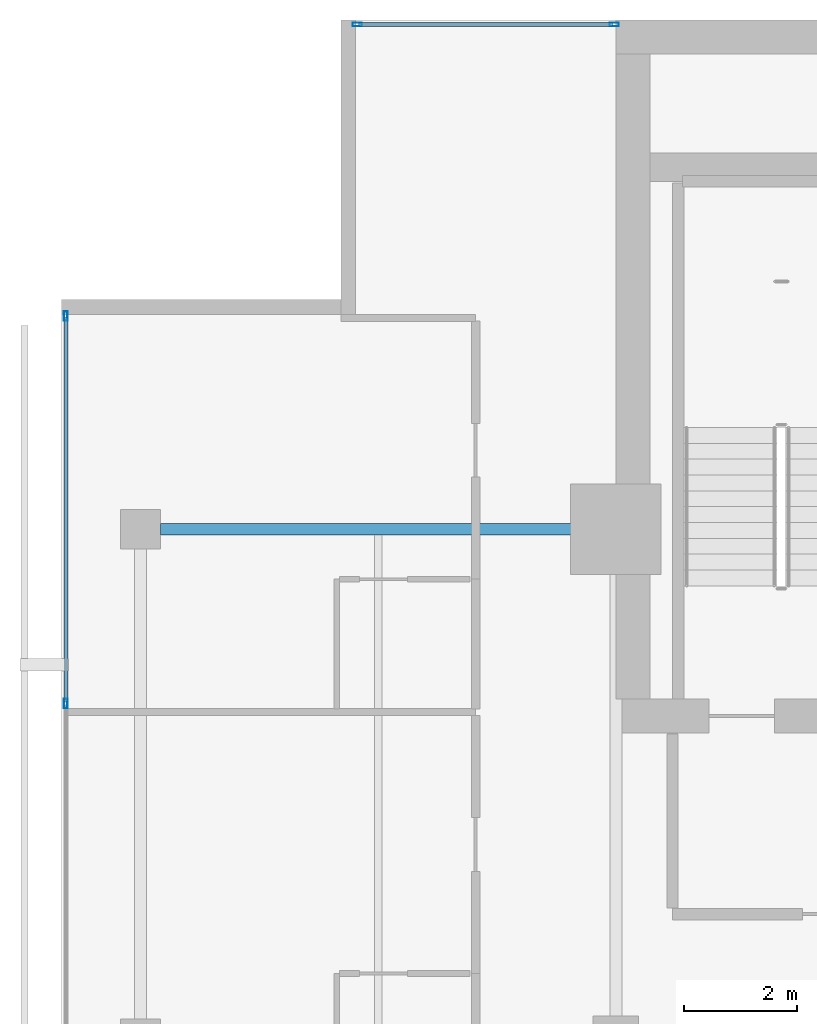
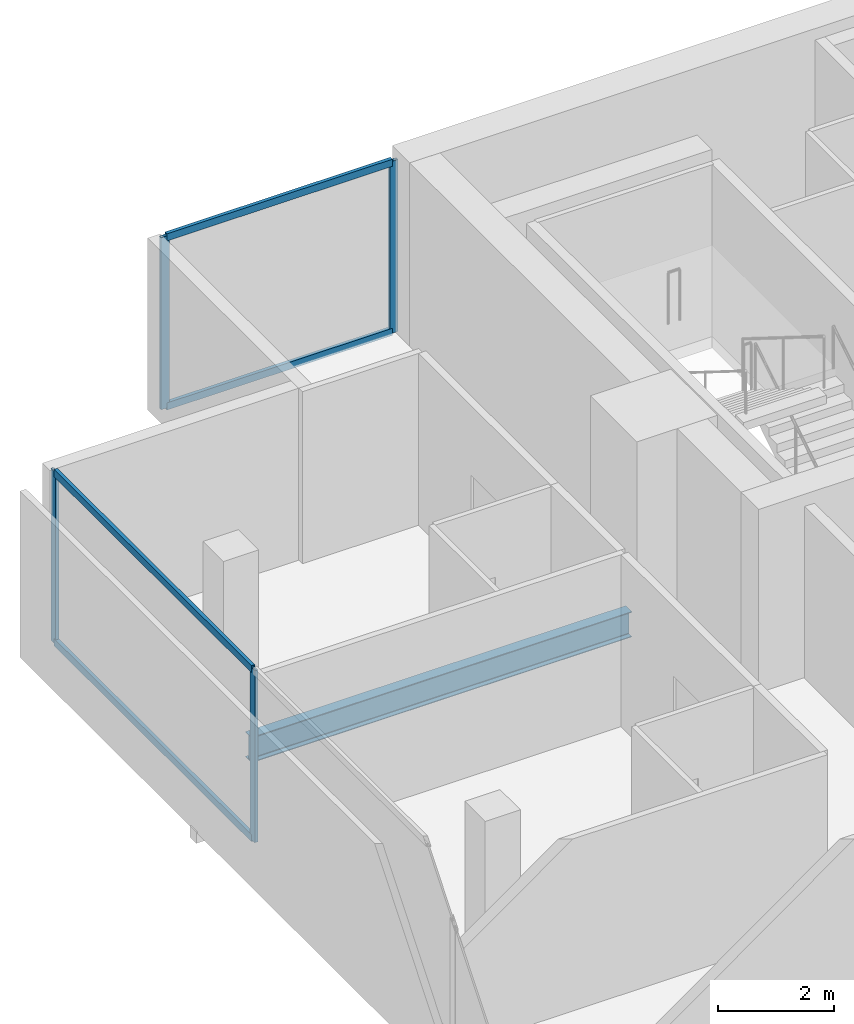
# One storey, part 16 of 26: 8 members, 1 beam, 2 elements without a shape of their own.
"""IFC4 building model written with IfcOpenShell, lengths in metres."""

from ifc_helpers import new_model, si_unit, direction, frame, origin, origin_2d, place, context, subcontext, project, spatial, hollow_rectangle, i_section, extrude, material, layer, layer_set, material_profile, profile_set, type_object, element, aggregate, save


model = new_model("IFC4")

# Units and contexts
model_context = context("Model", 3, precision=1e-05, world=origin(), true_north=direction((0.0, 1.0)))
body_context = subcontext(model_context, "Body", "Model", "MODEL_VIEW")
ifc_project = project(units=[si_unit("LENGTHUNIT", "METRE"), si_unit("AREAUNIT", "SQUARE_METRE"), si_unit("VOLUMEUNIT", "CUBIC_METRE"), si_unit("PLANEANGLEUNIT", "RADIAN"), si_unit("MASSUNIT", "GRAM", prefix="KILO")], contexts=[model_context])

# Site, building, storey
site_placement = place(None, origin())
site = spatial("IfcSite", under=ifc_project, at=site_placement, CompositionType="ELEMENT")
building_placement = place(site_placement, origin())
building = spatial("IfcBuilding", under=site, at=building_placement, Name="Maruvema Waterfront Hotel and Observation Tower", CompositionType="ELEMENT")
storey_placement = place(building_placement, frame((0.0, 0.0, 266.35009765625)))
storey = spatial("IfcBuildingStorey", under=building, at=storey_placement, Name="L65", CompositionType="ELEMENT", Elevation=266.35009765625)

# Curtain wall, members
ifc_material_1 = material(Name="Anodised bronze aluminium and solar-control low-E IGU", Category="aluminium")
ifc_layer = layer(ifc_material_1, 0.159912109375, Name="Zone 3 Champagne Inner Thermal Curtain Wall System CW-04")
ifc_layer_set = layer_set([ifc_layer], Name="Anodised bronze aluminium and solar-control low-E IGU")
curtain_wall_type = type_object("IfcCurtainWallType", Name="Zone 3 Champagne Inner Thermal Curtain Wall System CW-04", PredefinedType="USERDEFINED", material=ifc_layer_set)
curtain_wall_1_placement = place(storey_placement, origin())
curtain_wall_1 = element("IfcCurtainWall", 1, at=curtain_wall_1_placement, inside=storey, type_object=curtain_wall_type, Name="L65 Curtain Wall CW-L65-W", ObjectType="UNITISED CURTAIN WALL", PredefinedType="USERDEFINED")
ifc_material_2 = material(Name="Anodised architectural bronze aluminium", Category="aluminium")
ifc_material_profile_1 = material_profile(ifc_material_2, hollow_rectangle(XDim=0.070068359375, YDim=0.14990234375, WallThickness=0.00390625, at=origin_2d()), Name="ALU-T70x150")
ifc_profile_set_1 = profile_set([ifc_material_profile_1], Name="Anodised architectural bronze aluminium")
member_type_1 = type_object("IfcMemberType", Name="Curtain Wall Horizontal Transom ALU-T70x150", PredefinedType="USERDEFINED", material=ifc_profile_set_1)
member_1_placement = place(storey_placement, frame((15.47998046875, 48.739990234375, 0.02978515625), z_axis=(0.0, -1.0, 0.0), x_axis=(1.0, 0.0, 0.0)))
member_1 = element("IfcMember", 2, at=member_1_placement, type_object=member_type_1, Name="CW-04 transom 1.1", ObjectType="TRANSOM", PredefinedType="USERDEFINED", context=body_context, shape_type="SweptSolid", body=[
    extrude(hollow_rectangle(XDim=0.070068359375, YDim=0.14990234375, WallThickness=0.00390625, at=origin_2d()), origin(), (0.0, 0.0, 1.0), 6.7900390625),
])
member_2_placement = place(storey_placement, frame((15.47998046875, 48.739990234375, 3.579833984375), z_axis=(0.0, -1.0, 0.0), x_axis=(1.0, 0.0, 0.0)))
member_2 = element("IfcMember", 3, at=member_2_placement, type_object=member_type_1, Name="CW-04 transom 1.2", ObjectType="TRANSOM", PredefinedType="USERDEFINED", context=body_context, shape_type="SweptSolid", body=[
    extrude(hollow_rectangle(XDim=0.070068359375, YDim=0.14990234375, WallThickness=0.00390625, at=origin_2d()), origin(), (0.0, 0.0, 1.0), 6.7900390625),
])

curtain_wall_2_placement = place(storey_placement, origin())
curtain_wall_2 = element("IfcCurtainWall", 4, at=curtain_wall_2_placement, inside=storey, type_object=curtain_wall_type, Name="L65 Curtain Wall CW-L65-NW", ObjectType="UNITISED CURTAIN WALL", PredefinedType="USERDEFINED")
member_3_placement = place(storey_placement, frame((25.139892578125, 53.919921875, 0.02978515625), z_axis=(-1.0, 0.0, 0.0), x_axis=(0.0, -1.0, 0.0)))
member_3 = element("IfcMember", 5, at=member_3_placement, type_object=member_type_1, Name="CW-04 transom 1.1", ObjectType="TRANSOM", PredefinedType="USERDEFINED", context=body_context, shape_type="SweptSolid", body=[
    extrude(hollow_rectangle(XDim=0.070068359375, YDim=0.14990234375, WallThickness=0.00390625, at=origin_2d()), origin(), (0.0, 0.0, 1.0), 4.47998046875),
])
member_4_placement = place(storey_placement, frame((25.139892578125, 53.919921875, 3.579833984375), z_axis=(-1.0, 0.0, 0.0), x_axis=(0.0, -1.0, 0.0)))
member_4 = element("IfcMember", 6, at=member_4_placement, type_object=member_type_1, Name="CW-04 transom 1.2", ObjectType="TRANSOM", PredefinedType="USERDEFINED", context=body_context, shape_type="SweptSolid", body=[
    extrude(hollow_rectangle(XDim=0.070068359375, YDim=0.14990234375, WallThickness=0.00390625, at=origin_2d()), origin(), (0.0, 0.0, 1.0), 4.47998046875),
])

# Member
ifc_material_3 = material(Name="Anodised architectural bronze aluminium", Category="aluminium")
ifc_material_profile_2 = material_profile(ifc_material_3, hollow_rectangle(XDim=0.06494140625, YDim=0.1650390625, WallThickness=0.00390625, at=origin_2d()), Name="ALU-M65x165")
ifc_profile_set_2 = profile_set([ifc_material_profile_2], Name="Anodised architectural bronze aluminium")
member_type_2 = type_object("IfcMemberType", Name="Curtain Wall Primary Mullion ALU-M65x165", PredefinedType="MULLION", material=ifc_profile_set_2)
member_5_placement = place(storey_placement, frame((15.47998046875, 48.77001953125, 0.0), z_axis=(0.0, 0.0, 1.0), x_axis=(1.0, 0.0, 0.0)))
member_5 = element("IfcMember", 7, at=member_5_placement, type_object=member_type_2, Name="CW-04 mullion 1", PredefinedType="MULLION", context=body_context, shape_type="SweptSolid", body=[
    extrude(hollow_rectangle(XDim=0.06494140625, YDim=0.1650390625, WallThickness=0.00390625, at=origin_2d()), origin(), (0.0, 0.0, 1.0), 3.60986328125),
])

member_6_placement = place(storey_placement, frame((15.47998046875, 41.919921875, 0.0), z_axis=(0.0, 0.0, 1.0), x_axis=(1.0, 0.0, 0.0)))
member_6 = element("IfcMember", 8, at=member_6_placement, type_object=member_type_2, Name="CW-04 mullion 2", PredefinedType="MULLION", context=body_context, shape_type="SweptSolid", body=[
    extrude(hollow_rectangle(XDim=0.06494140625, YDim=0.1650390625, WallThickness=0.00390625, at=origin_2d()), origin(), (0.0, 0.0, 1.0), 3.60986328125),
])

aggregate(curtain_wall_1, [member_5, member_6, member_1, member_2])

member_7_placement = place(storey_placement, frame((25.169921875, 53.919921875, 0.0), z_axis=(0.0, 0.0, 1.0), x_axis=(0.0, -1.0, 0.0)))
member_7 = element("IfcMember", 9, at=member_7_placement, type_object=member_type_2, Name="CW-04 mullion 1", PredefinedType="MULLION", context=body_context, shape_type="SweptSolid", body=[
    extrude(hollow_rectangle(XDim=0.06494140625, YDim=0.1650390625, WallThickness=0.00390625, at=origin_2d()), origin(), (0.0, 0.0, 1.0), 3.60986328125),
])

member_8_placement = place(storey_placement, frame((20.6298828125, 53.919921875, 0.0), z_axis=(0.0, 0.0, 1.0), x_axis=(0.0, -1.0, 0.0)))
member_8 = element("IfcMember", 10, at=member_8_placement, type_object=member_type_2, Name="CW-04 mullion 2", PredefinedType="MULLION", context=body_context, shape_type="SweptSolid", body=[
    extrude(hollow_rectangle(XDim=0.06494140625, YDim=0.1650390625, WallThickness=0.00390625, at=origin_2d()), origin(), (0.0, 0.0, 1.0), 3.60986328125),
])

aggregate(curtain_wall_2, [member_7, member_8, member_3, member_4])

# Beam
ifc_material_4 = material(Name="Steel ASTM A572 Grade 50", Category="steel")
ifc_material_profile_3 = material_profile(ifc_material_4, i_section(OverallWidth=0.208984375, OverallDepth=0.532958984375, WebThickness=0.01025390625, FlangeThickness=0.015625, FilletRadius=0.014892578125, at=origin_2d()), Name="W530x92.0")
ifc_profile_set_3 = profile_set([ifc_material_profile_3], Name="Steel ASTM A572 Grade 50")
beam_type = type_object("IfcBeamType", Name="Primary Floor Girder W530x92.0", PredefinedType="BEAM", material=ifc_profile_set_3)
beam_placement = place(storey_placement, frame((17.14990234375, 45.0, -0.506591796875), z_axis=(1.0, 0.0, 0.0), x_axis=(0.0, 1.0, 0.0)))
element("IfcBeam", 11, at=beam_placement, inside=storey, type_object=beam_type, Name="L65 Floor Girder EW-17", PredefinedType="BEAM", context=body_context, shape_type="SweptSolid", body=[
    extrude(i_section(OverallWidth=0.208984375, OverallDepth=0.532958984375, WebThickness=0.01025390625, FlangeThickness=0.015625, FilletRadius=0.014892578125, at=origin_2d()), origin(), (0.0, 0.0, 1.0), 7.550048828125),
])

save(model, "model.ifc")
